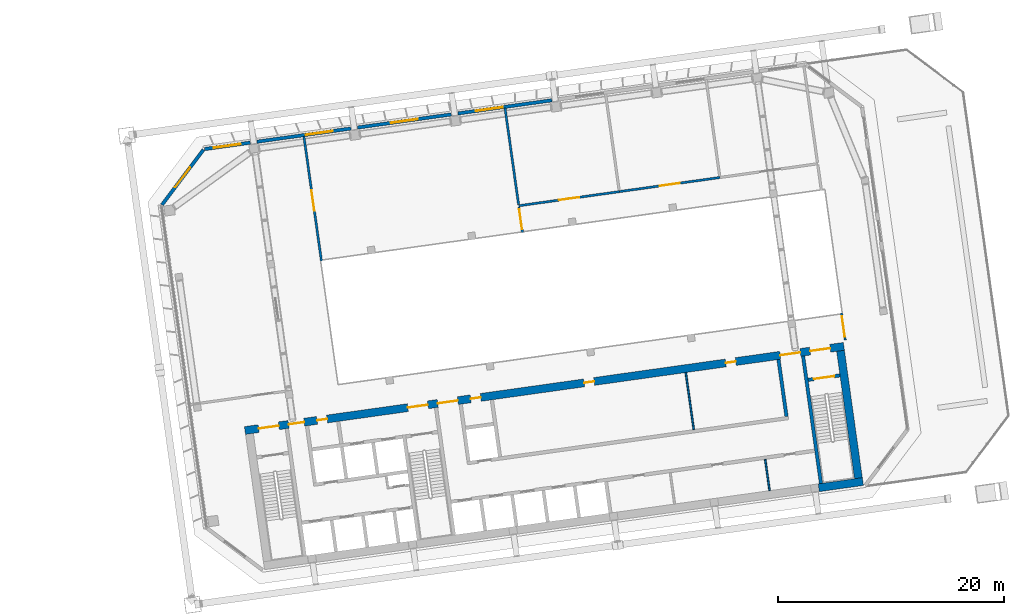
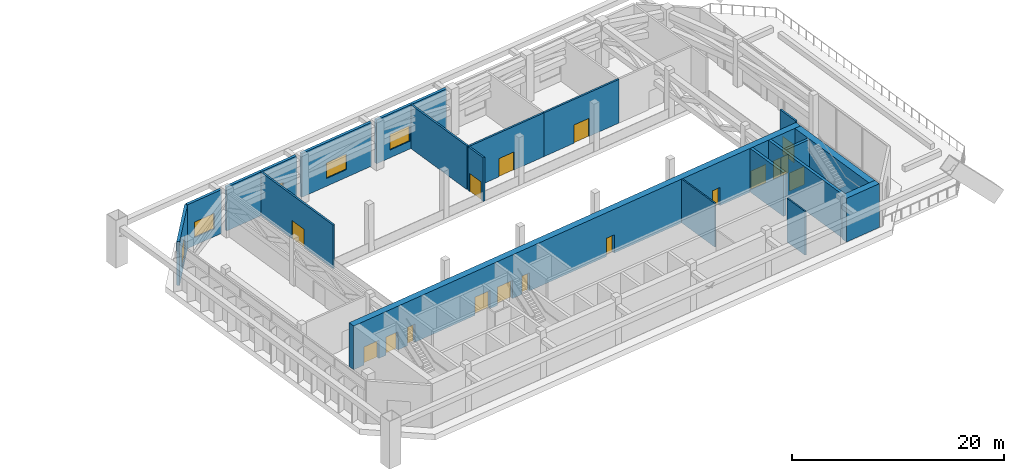
# One storey, part 24 of 41: 19 walls, 16 doors, 5 windows, 21 openings.
"""IFC4 building model written with IfcOpenShell, lengths in metres."""

from ifc_helpers import new_model, si_unit, direction, frame, frame_2d, origin, place, context, subcontext, project, spatial, rectangle, extrude, material, layer, layer_set, type_object, element, fill, save


model = new_model("IFC4")

# Units and contexts
model_context = context("Model", 3, precision=1e-05, world=origin(), true_north=direction((0.0, 1.0)))
body_context = subcontext(model_context, "Body", "Model", "MODEL_VIEW")
ifc_project = project(units=[si_unit("LENGTHUNIT", "METRE"), si_unit("AREAUNIT", "SQUARE_METRE"), si_unit("VOLUMEUNIT", "CUBIC_METRE"), si_unit("PLANEANGLEUNIT", "RADIAN"), si_unit("MASSUNIT", "GRAM", prefix="KILO")], contexts=[model_context])

# Site, building, storey
site_placement = place(None, origin())
site = spatial("IfcSite", under=ifc_project, at=site_placement, CompositionType="ELEMENT")
building_placement = place(site_placement, origin())
building = spatial("IfcBuilding", under=site, at=building_placement, Name="Mirante Cascada Hotel Towers", CompositionType="ELEMENT")
storey_placement = place(building_placement, frame((0.0, 0.0, 151.9)))
storey = spatial("IfcBuildingStorey", under=building, at=storey_placement, Name="L35", CompositionType="ELEMENT", Elevation=151.9)

# Walls
ifc_material_1 = material(Name="Masonry block", Category="masonry")
ifc_layer_1 = layer(ifc_material_1, 0.15)
ifc_layer_set_1 = layer_set([ifc_layer_1], Name="Core room partition 150 block EI 30")
wall_type_1 = type_object("IfcWallType", Name="Core room partition 150 block EI 30", PredefinedType="PARTITIONING", material=ifc_layer_set_1)
wall_1_placement = place(storey_placement, frame((82.0324, -12.9652, 0.0), z_axis=(0.0, 0.0, 1.0), x_axis=(-0.139141, 0.9902726, 0.0)))
element("IfcWall", 1, at=wall_1_placement, inside=storey, type_object=wall_type_1, Name="Core wall partition T2 L35 5", PredefinedType="PARTITIONING", context=body_context, shape_type="SweptSolid", body=[
    extrude(rectangle(XDim=2.8, YDim=0.15, at=frame_2d((1.4, 0.0))), origin(), (0.0, 0.0, 1.0), 5.05),
])
wall_2_placement = place(storey_placement, frame((75.3131, -7.5476, 0.0), z_axis=(0.0, 0.0, 1.0), x_axis=(-0.1391782, 0.9902673, 0.0)))
element("IfcWall", 2, at=wall_2_placement, inside=storey, type_object=wall_type_1, Name="Core wall partition T2 L35 6", PredefinedType="PARTITIONING", context=body_context, shape_type="SweptSolid", body=[
    extrude(rectangle(XDim=5.0999, YDim=0.15, at=frame_2d((2.55, 0.0))), origin(), (0.0, 0.0, 1.0), 5.05),
])

# Wall, opening, window
ifc_material_2 = material(Name="Precast concrete C40/50", Category="concrete")
ifc_layer_2 = layer(ifc_material_2, 0.3)
ifc_layer_set_2 = layer_set([ifc_layer_2], Name="Precast concrete C40/50 cladding wall 300")
wall_type_2 = type_object("IfcWallType", Name="Precast concrete C40/50 cladding wall 300", PredefinedType="STANDARD", material=ifc_layer_set_2)
wall_3_placement = place(storey_placement, frame((31.9558, 17.3101, 0.0), z_axis=(0.0, 0.0, 1.0), x_axis=(0.9902691, 0.1391657, 0.0)))
wall_3 = element("IfcWall", 3, at=wall_3_placement, inside=storey, type_object=wall_type_2, Name="Cladding pier wall T2 L35 front 1", PredefinedType="STANDARD", context=body_context, shape_type="SweptSolid", body=[
    extrude(rectangle(XDim=4.0908, YDim=0.3, at=frame_2d((2.0454, 0.0))), origin(), (0.0, 0.0, 1.0), 5.05),
])
opening_1_placement = place(wall_3_placement, frame((0.8143, 0.0, 0.9)))
opening_1 = element("IfcOpeningElement", 4, at=opening_1_placement, cuts=wall_3, Name="Opening W2-35-01", PredefinedType="OPENING", context=body_context, shape_type="SweptSolid", body=[
    extrude(rectangle(XDim=2.4, YDim=1.8, at=frame_2d((1.2, 0.9))), frame((0.0, 0.15, 0.0), z_axis=(0.0, -1.0, 0.0), x_axis=(1.0, 0.0, 0.0)), (0.0, 0.0, 1.0), 0.3),
])
ifc_material_3 = material(Name="Aluminium frame with clear double glazing", Category="aluminium")
window_type_1 = type_object("IfcWindowType", Name="Punched window 2400x1800", PartitioningType="DOUBLE_PANEL_VERTICAL", PredefinedType="WINDOW", material=ifc_material_3)
window_1_placement = place(opening_1_placement, origin())
window_1 = element("IfcWindow", 5, at=window_1_placement, inside=storey, type_object=window_type_1, Name="Window W2-35-01", OverallHeight=1.8, OverallWidth=2.4, PartitioningType="SINGLE_PANEL", PredefinedType="WINDOW", context=body_context, shape_type="SweptSolid", body=[
    extrude(rectangle(XDim=2.4, YDim=1.8, at=frame_2d((1.2, 0.9))), frame((0.0, 0.03, 0.0), z_axis=(0.0, -1.0, 0.0), x_axis=(1.0, 0.0, 0.0)), (0.0, 0.0, 1.0), 0.06),
])
fill(opening_1, window_1)

wall_4_placement = place(storey_placement, frame((36.6009, 17.963, 0.0), z_axis=(0.0, 0.0, 1.0), x_axis=(0.9902691, 0.139166, 0.0)))
wall_4 = element("IfcWall", 6, at=wall_4_placement, inside=storey, type_object=wall_type_2, Name="Cladding pier wall T2 L35 front 2", PredefinedType="STANDARD", context=body_context, shape_type="SweptSolid", body=[
    extrude(rectangle(XDim=8.4, YDim=0.3, at=frame_2d((4.2, 0.0))), origin(), (0.0, 0.0, 1.0), 5.05),
])
opening_2_placement = place(wall_4_placement, frame((4.385, 0.0, 0.9)))
opening_2 = element("IfcOpeningElement", 7, at=opening_2_placement, cuts=wall_4, Name="Opening W2-35-02", PredefinedType="OPENING", context=body_context, shape_type="SweptSolid", body=[
    extrude(rectangle(XDim=2.4, YDim=1.8, at=frame_2d((1.2, 0.9))), frame((0.0, 0.15, 0.0), z_axis=(0.0, -1.0, 0.0), x_axis=(1.0, 0.0, 0.0)), (0.0, 0.0, 1.0), 0.3),
])
window_2_placement = place(opening_2_placement, origin())
window_2 = element("IfcWindow", 8, at=window_2_placement, inside=storey, type_object=window_type_1, Name="Window W2-35-02", OverallHeight=1.8, OverallWidth=2.4, PartitioningType="SINGLE_PANEL", PredefinedType="WINDOW", context=body_context, shape_type="SweptSolid", body=[
    extrude(rectangle(XDim=2.4, YDim=1.8, at=frame_2d((1.2, 0.9))), frame((0.0, 0.03, 0.0), z_axis=(0.0, -1.0, 0.0), x_axis=(1.0, 0.0, 0.0)), (0.0, 0.0, 1.0), 0.06),
])
fill(opening_2, window_2)

wall_5_placement = place(storey_placement, frame((45.5133, 19.2155, 0.0), z_axis=(0.0, 0.0, 1.0), x_axis=(0.9902675, 0.139177, 0.0)))
wall_5 = element("IfcWall", 9, at=wall_5_placement, inside=storey, type_object=wall_type_2, Name="Cladding pier wall T2 L35 front 3", PredefinedType="STANDARD", context=body_context, shape_type="SweptSolid", body=[
    extrude(rectangle(XDim=8.385, YDim=0.3, at=frame_2d((4.1925, 0.0))), origin(), (0.0, 0.0, 1.0), 5.05),
])
opening_3_placement = place(wall_5_placement, frame((2.9925, 0.0, 0.9)))
opening_3 = element("IfcOpeningElement", 10, at=opening_3_placement, cuts=wall_5, Name="Opening W2-35-03", PredefinedType="OPENING", context=body_context, shape_type="SweptSolid", body=[
    extrude(rectangle(XDim=2.4, YDim=1.8, at=frame_2d((1.2, 0.9))), frame((0.0, 0.15, 0.0), z_axis=(0.0, -1.0, 0.0), x_axis=(1.0, 0.0, 0.0)), (0.0, 0.0, 1.0), 0.3),
])
window_3_placement = place(opening_3_placement, origin())
window_3 = element("IfcWindow", 11, at=window_3_placement, inside=storey, type_object=window_type_1, Name="Window W2-35-03", OverallHeight=1.8, OverallWidth=2.4, PartitioningType="SINGLE_PANEL", PredefinedType="WINDOW", context=body_context, shape_type="SweptSolid", body=[
    extrude(rectangle(XDim=2.4, YDim=1.8, at=frame_2d((1.2, 0.9))), frame((0.0, 0.03, 0.0), z_axis=(0.0, -1.0, 0.0), x_axis=(1.0, 0.0, 0.0)), (0.0, 0.0, 1.0), 0.06),
])
fill(opening_3, window_3)

wall_6_placement = place(storey_placement, frame((54.4109, 20.466, 0.0), z_axis=(0.0, 0.0, 1.0), x_axis=(0.9902691, 0.139166, 0.0)))
wall_6 = element("IfcWall", 12, at=wall_6_placement, inside=storey, type_object=wall_type_2, Name="Cladding pier wall T2 L35 front 4", PredefinedType="STANDARD", context=body_context, shape_type="SweptSolid", body=[
    extrude(rectangle(XDim=8.4, YDim=0.3, at=frame_2d((4.2, 0.0))), origin(), (0.0, 0.0, 1.0), 5.05),
])
opening_4_placement = place(wall_6_placement, frame((1.6, 0.0, 0.9)))
opening_4 = element("IfcOpeningElement", 13, at=opening_4_placement, cuts=wall_6, Name="Opening W2-35-04", PredefinedType="OPENING", context=body_context, shape_type="SweptSolid", body=[
    extrude(rectangle(XDim=2.4, YDim=1.8, at=frame_2d((1.2, 0.9))), frame((0.0, 0.15, 0.0), z_axis=(0.0, -1.0, 0.0), x_axis=(1.0, 0.0, 0.0)), (0.0, 0.0, 1.0), 0.3),
])
window_4_placement = place(opening_4_placement, origin())
window_4 = element("IfcWindow", 14, at=window_4_placement, inside=storey, type_object=window_type_1, Name="Window W2-35-04", OverallHeight=1.8, OverallWidth=2.4, PartitioningType="SINGLE_PANEL", PredefinedType="WINDOW", context=body_context, shape_type="SweptSolid", body=[
    extrude(rectangle(XDim=2.4, YDim=1.8, at=frame_2d((1.2, 0.9))), frame((0.0, 0.03, 0.0), z_axis=(0.0, -1.0, 0.0), x_axis=(1.0, 0.0, 0.0)), (0.0, 0.0, 1.0), 0.06),
])
fill(opening_4, window_4)

wall_7_placement = place(storey_placement, frame((31.8569, 17.2519, 0.0), z_axis=(0.0, 0.0, 1.0), x_axis=(-0.6018115, -0.7986381, 0.0)))
wall_7 = element("IfcWall", 15, at=wall_7_placement, inside=storey, type_object=wall_type_2, Name="Corner cladding wall T2 L35 front inner", PredefinedType="STANDARD", context=body_context, shape_type="SweptSolid", body=[
    extrude(rectangle(XDim=6.1155, YDim=0.3, at=frame_2d((3.0578, 0.0))), origin(), (0.0, 0.0, 1.0), 5.05),
])
opening_5_placement = place(wall_7_placement, frame((1.9577, 0.0, 0.6)))
opening_5 = element("IfcOpeningElement", 16, at=opening_5_placement, cuts=wall_7, Name="Opening W2-35-10", PredefinedType="OPENING", context=body_context, shape_type="SweptSolid", body=[
    extrude(rectangle(XDim=2.2, YDim=2.4, at=frame_2d((1.1, 1.2))), frame((0.0, 0.15, 0.0), z_axis=(0.0, -1.0, 0.0), x_axis=(1.0, 0.0, 0.0)), (0.0, 0.0, 1.0), 0.3),
])
ifc_material_4 = material(Name="Aluminium frame with clear double glazing", Category="aluminium")
window_type_2 = type_object("IfcWindowType", Name="Corner suite window 2200x2400", PartitioningType="DOUBLE_PANEL_VERTICAL", PredefinedType="WINDOW", material=ifc_material_4)
window_5_placement = place(opening_5_placement, origin())
window_5 = element("IfcWindow", 17, at=window_5_placement, inside=storey, type_object=window_type_2, Name="Window W2-35-10", OverallHeight=2.4, OverallWidth=2.2, PartitioningType="SINGLE_PANEL", PredefinedType="WINDOW", context=body_context, shape_type="SweptSolid", body=[
    extrude(rectangle(XDim=2.2, YDim=2.4, at=frame_2d((1.1, 1.2))), frame((0.0, 0.03, 0.0), z_axis=(0.0, -1.0, 0.0), x_axis=(1.0, 0.0, 0.0)), (0.0, 0.0, 1.0), 0.06),
])
fill(opening_5, window_5)

# Wall
ifc_material_5 = material(Name="Concrete C50/60", Category="concrete")
ifc_layer_3 = layer(ifc_material_5, 0.3)
ifc_layer_set_3 = layer_set([ifc_layer_3], Name="RC core wall 300 C50/60")
wall_type_3 = type_object("IfcWallType", Name="RC core wall 300 C50/60", PredefinedType="SHEAR", material=ifc_layer_set_3)
wall_8_placement = place(storey_placement, frame((86.5877, -12.325, 0.0), z_axis=(0.0, 0.0, 1.0), x_axis=(-0.1391749, 0.9902678, 0.0)))
element("IfcWall", 18, at=wall_8_placement, inside=storey, type_object=wall_type_3, Name="Core wall T2:L35:8", PredefinedType="SHEAR", context=body_context, shape_type="SweptSolid", body=[
    extrude(rectangle(XDim=11.4, YDim=0.3, at=frame_2d((5.7, 0.0))), origin(), (0.0, 0.0, 1.0), 5.05),
])

# Wall, opening, door
wall_9_placement = place(storey_placement, frame((85.4489, -3.1441, 0.0), z_axis=(0.0, 0.0, 1.0), x_axis=(0.9902697, 0.1391613, 0.0)))
wall_9 = element("IfcWall", 19, at=wall_9_placement, inside=storey, type_object=wall_type_3, Name="Core wall T2:L35:11", PredefinedType="SHEAR", context=body_context, shape_type="SweptSolid", body=[
    extrude(rectangle(XDim=2.8499, YDim=0.3, at=frame_2d((1.425, 0.0))), origin(), (0.0, 0.0, 1.0), 5.05),
])
opening_6_placement = place(wall_9_placement, frame((0.525, 0.0, 0.0)))
opening_6 = element("IfcOpeningElement", 20, at=opening_6_placement, cuts=wall_9, Name="Opening D2-35-C17", PredefinedType="OPENING", context=body_context, shape_type="SweptSolid", body=[
    extrude(rectangle(XDim=1.8, YDim=2.1, at=frame_2d((0.9, 1.05))), frame((0.0, 0.15, 0.0), z_axis=(0.0, -1.0, 0.0), x_axis=(1.0, 0.0, 0.0)), (0.0, 0.0, 1.0), 0.3),
])
ifc_material_6 = material(Name="Hollow metal fire door leaf")
door_type_1 = type_object("IfcDoorType", Name="Double fire door 1800x2100 FD60", OperationType="DOUBLE_DOOR_SINGLE_SWING", PredefinedType="DOOR", material=ifc_material_6)
door_1_placement = place(opening_6_placement, frame((1.8, 0.0, 0.0), z_axis=(0.0, 0.0, 1.0), x_axis=(-1.0, 0.0, 0.0)))
door_1 = element("IfcDoor", 21, at=door_1_placement, inside=storey, type_object=door_type_1, Name="Stair door T2 L35 17", OperationType="DOUBLE_DOOR_SINGLE_SWING", OverallHeight=2.1, OverallWidth=1.8, PredefinedType="DOOR", context=body_context, shape_type="SweptSolid", body=[
    extrude(rectangle(XDim=0.895, YDim=2.1, at=frame_2d((0.4475, 1.05))), frame((0.0, 0.025, 0.0), z_axis=(0.0, -1.0, 0.0), x_axis=(1.0, 0.0, 0.0)), (0.0, 0.0, 1.0), 0.05),
    extrude(rectangle(XDim=0.895, YDim=2.1, at=frame_2d((1.3525, 1.05))), frame((0.0, 0.025, 0.0), z_axis=(0.0, -1.0, 0.0), x_axis=(1.0, 0.0, 0.0)), (0.0, 0.0, 1.0), 0.05),
])
fill(opening_6, door_1)

# Walls
wall_10_placement = place(storey_placement, frame((83.5323, -6.3925, 0.0), z_axis=(0.0, 0.0, 1.0), x_axis=(-0.1391755, 0.9902677, 0.0)))
element("IfcWall", 22, at=wall_10_placement, inside=storey, type_object=wall_type_3, Name="Core wall T2:L35:34", PredefinedType="SHEAR", context=body_context, shape_type="SweptSolid", body=[
    extrude(rectangle(XDim=5.1, YDim=0.3, at=frame_2d((2.55, 0.0))), origin(), (0.0, 0.0, 1.0), 5.05),
])
ifc_material_7 = material(Name="Concrete C50/60", Category="concrete")
ifc_layer_4 = layer(ifc_material_7, 0.7)
ifc_layer_set_4 = layer_set([ifc_layer_4], Name="RC core wall 700 C50/60")
wall_type_4 = type_object("IfcWallType", Name="RC core wall 700 C50/60", PredefinedType="SHEAR", material=ifc_layer_set_4)
wall_11_placement = place(storey_placement, frame((86.3888, -12.7064, 0.0), z_axis=(0.0, 0.0, 1.0), x_axis=(0.9902694, 0.1391633, 0.0)))
element("IfcWall", 23, at=wall_11_placement, inside=storey, type_object=wall_type_4, Name="Core wall T2:L35:1.7", PredefinedType="SHEAR", context=body_context, shape_type="SweptSolid", body=[
    extrude(rectangle(XDim=3.95, YDim=0.7, at=frame_2d((1.975, 0.0))), origin(), (0.0, 0.0, 1.0), 5.05),
])

# Wall, openings, doors
wall_12_placement = place(storey_placement, frame((35.538, -7.6341, 0.0), z_axis=(0.0, 0.0, 1.0), x_axis=(0.990268, 0.1391734, 0.0)))
wall_12 = element("IfcWall", 24, at=wall_12_placement, inside=storey, type_object=wall_type_4, Name="Core wall T2:L35:2", PredefinedType="SHEAR", context=body_context, shape_type="SweptSolid", body=[
    extrude(rectangle(XDim=53.6, YDim=0.7, at=frame_2d((26.8, 0.0))), origin(), (0.0, 0.0, 1.0), 5.05),
])
opening_7_placement = place(wall_12_placement, frame((1.225, 0.0, 0.0)))
opening_7 = element("IfcOpeningElement", 25, at=opening_7_placement, cuts=wall_12, Name="Opening D2-35-C14", PredefinedType="OPENING", context=body_context, shape_type="SweptSolid", body=[
    extrude(rectangle(XDim=1.8, YDim=2.1, at=frame_2d((0.9, 1.05))), frame((0.0, 0.35, 0.0), z_axis=(0.0, -1.0, 0.0), x_axis=(1.0, 0.0, 0.0)), (0.0, 0.0, 1.0), 0.7),
])
opening_8_placement = place(wall_12_placement, frame((14.575, 0.0, 0.0)))
opening_8 = element("IfcOpeningElement", 26, at=opening_8_placement, cuts=wall_12, Name="Opening D2-35-C16", PredefinedType="OPENING", context=body_context, shape_type="SweptSolid", body=[
    extrude(rectangle(XDim=1.8, YDim=2.1, at=frame_2d((0.9, 1.05))), frame((0.0, 0.35, 0.0), z_axis=(0.0, -1.0, 0.0), x_axis=(1.0, 0.0, 0.0)), (0.0, 0.0, 1.0), 0.7),
])
opening_9_placement = place(wall_12_placement, frame((50.575, 0.0, 0.0)))
opening_9 = element("IfcOpeningElement", 27, at=opening_9_placement, cuts=wall_12, Name="Opening D2-35-C18", PredefinedType="OPENING", context=body_context, shape_type="SweptSolid", body=[
    extrude(rectangle(XDim=1.8, YDim=2.1, at=frame_2d((0.9, 1.05))), frame((0.0, 0.35, 0.0), z_axis=(0.0, -1.0, 0.0), x_axis=(1.0, 0.0, 0.0)), (0.0, 0.0, 1.0), 0.7),
])
opening_10_placement = place(wall_12_placement, frame((3.9, 0.0, 0.0)))
opening_10 = element("IfcOpeningElement", 28, at=opening_10_placement, cuts=wall_12, Name="Opening D2-35-C19", PredefinedType="OPENING", context=body_context, shape_type="SweptSolid", body=[
    extrude(rectangle(XDim=1.4, YDim=2.1, at=frame_2d((0.7, 1.05))), frame((0.0, 0.35, 0.0), z_axis=(0.0, -1.0, 0.0), x_axis=(1.0, 0.0, 0.0)), (0.0, 0.0, 1.0), 0.7),
])
opening_11_placement = place(wall_12_placement, frame((17.25, 0.0, 0.0)))
opening_11 = element("IfcOpeningElement", 29, at=opening_11_placement, cuts=wall_12, Name="Opening D2-35-C20", PredefinedType="OPENING", context=body_context, shape_type="SweptSolid", body=[
    extrude(rectangle(XDim=1.8, YDim=2.1, at=frame_2d((0.9, 1.05))), frame((0.0, 0.35, 0.0), z_axis=(0.0, -1.0, 0.0), x_axis=(1.0, 0.0, 0.0)), (0.0, 0.0, 1.0), 0.7),
])
opening_12_placement = place(wall_12_placement, frame((47.9, 0.0, 0.0)))
opening_12 = element("IfcOpeningElement", 30, at=opening_12_placement, cuts=wall_12, Name="Opening D2-35-C21", PredefinedType="OPENING", context=body_context, shape_type="SweptSolid", body=[
    extrude(rectangle(XDim=1.8, YDim=2.1, at=frame_2d((0.9, 1.05))), frame((0.0, 0.35, 0.0), z_axis=(0.0, -1.0, 0.0), x_axis=(1.0, 0.0, 0.0)), (0.0, 0.0, 1.0), 0.7),
])
opening_13_placement = place(wall_12_placement, frame((6.45, 0.0, 0.0)))
opening_13 = element("IfcOpeningElement", 31, at=opening_13_placement, cuts=wall_12, Name="Opening D2-35-C24", PredefinedType="OPENING", context=body_context, shape_type="SweptSolid", body=[
    extrude(rectangle(XDim=0.9, YDim=2.1, at=frame_2d((0.45, 1.05))), frame((0.0, 0.35, 0.0), z_axis=(0.0, -1.0, 0.0), x_axis=(1.0, 0.0, 0.0)), (0.0, 0.0, 1.0), 0.7),
])
opening_14_placement = place(wall_12_placement, frame((20.2, 0.0, 0.0)))
opening_14 = element("IfcOpeningElement", 32, at=opening_14_placement, cuts=wall_12, Name="Opening D2-35-C28", PredefinedType="OPENING", context=body_context, shape_type="SweptSolid", body=[
    extrude(rectangle(XDim=0.9, YDim=2.1, at=frame_2d((0.45, 1.05))), frame((0.0, 0.35, 0.0), z_axis=(0.0, -1.0, 0.0), x_axis=(1.0, 0.0, 0.0)), (0.0, 0.0, 1.0), 0.7),
])
opening_15_placement = place(wall_12_placement, frame((30.35, 0.0, 0.0)))
opening_15 = element("IfcOpeningElement", 33, at=opening_15_placement, cuts=wall_12, Name="Opening D2-35-C29", PredefinedType="OPENING", context=body_context, shape_type="SweptSolid", body=[
    extrude(rectangle(XDim=0.9, YDim=2.1, at=frame_2d((0.45, 1.05))), frame((0.0, 0.35, 0.0), z_axis=(0.0, -1.0, 0.0), x_axis=(1.0, 0.0, 0.0)), (0.0, 0.0, 1.0), 0.7),
])
opening_16_placement = place(wall_12_placement, frame((43.025, 0.0, 0.0)))
opening_16 = element("IfcOpeningElement", 34, at=opening_16_placement, cuts=wall_12, Name="Opening D2-35-C30", PredefinedType="OPENING", context=body_context, shape_type="SweptSolid", body=[
    extrude(rectangle(XDim=0.9, YDim=2.1, at=frame_2d((0.45, 1.05))), frame((0.0, 0.35, 0.0), z_axis=(0.0, -1.0, 0.0), x_axis=(1.0, 0.0, 0.0)), (0.0, 0.0, 1.0), 0.7),
])
ifc_material_8 = material(Name="Hollow metal fire door leaf")
door_type_2 = type_object("IfcDoorType", Name="Double fire door 1400x2100 FD60", OperationType="DOUBLE_DOOR_SINGLE_SWING", PredefinedType="DOOR", material=ifc_material_8)
door_2_placement = place(opening_10_placement, origin())
door_2 = element("IfcDoor", 35, at=door_2_placement, inside=storey, type_object=door_type_2, Name="Exit door to gallery T2 L35 19", OperationType="DOUBLE_DOOR_SINGLE_SWING", OverallHeight=2.1, OverallWidth=1.4, PredefinedType="DOOR", context=body_context, shape_type="SweptSolid", body=[
    extrude(rectangle(XDim=0.695, YDim=2.1, at=frame_2d((0.3475, 1.05))), frame((0.0, 0.025, 0.0), z_axis=(0.0, -1.0, 0.0), x_axis=(1.0, 0.0, 0.0)), (0.0, 0.0, 1.0), 0.05),
    extrude(rectangle(XDim=0.695, YDim=2.1, at=frame_2d((1.0525, 1.05))), frame((0.0, 0.025, 0.0), z_axis=(0.0, -1.0, 0.0), x_axis=(1.0, 0.0, 0.0)), (0.0, 0.0, 1.0), 0.05),
])
fill(opening_10, door_2)
door_3_placement = place(opening_7_placement, frame((1.8, 0.0, 0.0), z_axis=(0.0, 0.0, 1.0), x_axis=(-1.0, 0.0, 0.0)))
door_3 = element("IfcDoor", 36, at=door_3_placement, inside=storey, type_object=door_type_1, Name="Exit door to gallery T2 L35 14", OperationType="DOUBLE_DOOR_SINGLE_SWING", OverallHeight=2.1, OverallWidth=1.8, PredefinedType="DOOR", context=body_context, shape_type="SweptSolid", body=[
    extrude(rectangle(XDim=0.895, YDim=2.1, at=frame_2d((0.4475, 1.05))), frame((0.0, 0.025, 0.0), z_axis=(0.0, -1.0, 0.0), x_axis=(1.0, 0.0, 0.0)), (0.0, 0.0, 1.0), 0.05),
    extrude(rectangle(XDim=0.895, YDim=2.1, at=frame_2d((1.3525, 1.05))), frame((0.0, 0.025, 0.0), z_axis=(0.0, -1.0, 0.0), x_axis=(1.0, 0.0, 0.0)), (0.0, 0.0, 1.0), 0.05),
])
fill(opening_7, door_3)
door_4_placement = place(opening_8_placement, frame((1.8, 0.0, 0.0), z_axis=(0.0, 0.0, 1.0), x_axis=(-1.0, 0.0, 0.0)))
door_4 = element("IfcDoor", 37, at=door_4_placement, inside=storey, type_object=door_type_1, Name="Exit door to gallery T2 L35 16", OperationType="DOUBLE_DOOR_SINGLE_SWING", OverallHeight=2.1, OverallWidth=1.8, PredefinedType="DOOR", context=body_context, shape_type="SweptSolid", body=[
    extrude(rectangle(XDim=0.895, YDim=2.1, at=frame_2d((0.4475, 1.05))), frame((0.0, 0.025, 0.0), z_axis=(0.0, -1.0, 0.0), x_axis=(1.0, 0.0, 0.0)), (0.0, 0.0, 1.0), 0.05),
    extrude(rectangle(XDim=0.895, YDim=2.1, at=frame_2d((1.3525, 1.05))), frame((0.0, 0.025, 0.0), z_axis=(0.0, -1.0, 0.0), x_axis=(1.0, 0.0, 0.0)), (0.0, 0.0, 1.0), 0.05),
])
fill(opening_8, door_4)
door_5_placement = place(opening_9_placement, frame((1.8, 0.0, 0.0), z_axis=(0.0, 0.0, 1.0), x_axis=(-1.0, 0.0, 0.0)))
door_5 = element("IfcDoor", 38, at=door_5_placement, inside=storey, type_object=door_type_1, Name="Exit door to gallery T2 L35 18", OperationType="DOUBLE_DOOR_SINGLE_SWING", OverallHeight=2.1, OverallWidth=1.8, PredefinedType="DOOR", context=body_context, shape_type="SweptSolid", body=[
    extrude(rectangle(XDim=0.895, YDim=2.1, at=frame_2d((0.4475, 1.05))), frame((0.0, 0.025, 0.0), z_axis=(0.0, -1.0, 0.0), x_axis=(1.0, 0.0, 0.0)), (0.0, 0.0, 1.0), 0.05),
    extrude(rectangle(XDim=0.895, YDim=2.1, at=frame_2d((1.3525, 1.05))), frame((0.0, 0.025, 0.0), z_axis=(0.0, -1.0, 0.0), x_axis=(1.0, 0.0, 0.0)), (0.0, 0.0, 1.0), 0.05),
])
fill(opening_9, door_5)
door_6_placement = place(opening_11_placement, origin())
door_6 = element("IfcDoor", 39, at=door_6_placement, inside=storey, type_object=door_type_1, Name="Exit door to gallery T2 L35 20", OperationType="DOUBLE_DOOR_SINGLE_SWING", OverallHeight=2.1, OverallWidth=1.8, PredefinedType="DOOR", context=body_context, shape_type="SweptSolid", body=[
    extrude(rectangle(XDim=0.895, YDim=2.1, at=frame_2d((0.4475, 1.05))), frame((0.0, 0.025, 0.0), z_axis=(0.0, -1.0, 0.0), x_axis=(1.0, 0.0, 0.0)), (0.0, 0.0, 1.0), 0.05),
    extrude(rectangle(XDim=0.895, YDim=2.1, at=frame_2d((1.3525, 1.05))), frame((0.0, 0.025, 0.0), z_axis=(0.0, -1.0, 0.0), x_axis=(1.0, 0.0, 0.0)), (0.0, 0.0, 1.0), 0.05),
])
fill(opening_11, door_6)
door_7_placement = place(opening_12_placement, origin())
door_7 = element("IfcDoor", 40, at=door_7_placement, inside=storey, type_object=door_type_1, Name="Exit door to gallery T2 L35 21", OperationType="DOUBLE_DOOR_SINGLE_SWING", OverallHeight=2.1, OverallWidth=1.8, PredefinedType="DOOR", context=body_context, shape_type="SweptSolid", body=[
    extrude(rectangle(XDim=0.895, YDim=2.1, at=frame_2d((0.4475, 1.05))), frame((0.0, 0.025, 0.0), z_axis=(0.0, -1.0, 0.0), x_axis=(1.0, 0.0, 0.0)), (0.0, 0.0, 1.0), 0.05),
    extrude(rectangle(XDim=0.895, YDim=2.1, at=frame_2d((1.3525, 1.05))), frame((0.0, 0.025, 0.0), z_axis=(0.0, -1.0, 0.0), x_axis=(1.0, 0.0, 0.0)), (0.0, 0.0, 1.0), 0.05),
])
fill(opening_12, door_7)
ifc_material_9 = material(Name="Hollow metal fire door leaf")
door_type_3 = type_object("IfcDoorType", Name="Fire door 900x2100 FD60", OperationType="NOTDEFINED", PredefinedType="DOOR", material=ifc_material_9)
door_8_placement = place(opening_13_placement, frame((0.9, 0.0, 0.0), z_axis=(0.0, 0.0, 1.0), x_axis=(-1.0, 0.0, 0.0)))
door_8 = element("IfcDoor", 41, at=door_8_placement, inside=storey, type_object=door_type_3, Name="Room door T2 L35 24", OperationType="SINGLE_SWING_LEFT", OverallHeight=2.1, OverallWidth=0.9, PredefinedType="DOOR", context=body_context, shape_type="SweptSolid", body=[
    extrude(rectangle(XDim=0.9, YDim=2.1, at=frame_2d((0.45, 1.05))), frame((0.0, 0.025, 0.0), z_axis=(0.0, -1.0, 0.0), x_axis=(1.0, 0.0, 0.0)), (0.0, 0.0, 1.0), 0.05),
])
fill(opening_13, door_8)
door_9_placement = place(opening_14_placement, frame((0.9, 0.0, 0.0), z_axis=(0.0, 0.0, 1.0), x_axis=(-1.0, 0.0, 0.0)))
door_9 = element("IfcDoor", 42, at=door_9_placement, inside=storey, type_object=door_type_3, Name="Room door T2 L35 28", OperationType="SINGLE_SWING_LEFT", OverallHeight=2.1, OverallWidth=0.9, PredefinedType="DOOR", context=body_context, shape_type="SweptSolid", body=[
    extrude(rectangle(XDim=0.9, YDim=2.1, at=frame_2d((0.45, 1.05))), frame((0.0, 0.025, 0.0), z_axis=(0.0, -1.0, 0.0), x_axis=(1.0, 0.0, 0.0)), (0.0, 0.0, 1.0), 0.05),
])
fill(opening_14, door_9)
door_10_placement = place(opening_15_placement, frame((0.9, 0.0, 0.0), z_axis=(0.0, 0.0, 1.0), x_axis=(-1.0, 0.0, 0.0)))
door_10 = element("IfcDoor", 43, at=door_10_placement, inside=storey, type_object=door_type_3, Name="Room door T2 L35 29", OperationType="SINGLE_SWING_RIGHT", OverallHeight=2.1, OverallWidth=0.9, PredefinedType="DOOR", context=body_context, shape_type="SweptSolid", body=[
    extrude(rectangle(XDim=0.9, YDim=2.1, at=frame_2d((0.45, 1.05))), frame((0.0, 0.025, 0.0), z_axis=(0.0, -1.0, 0.0), x_axis=(1.0, 0.0, 0.0)), (0.0, 0.0, 1.0), 0.05),
])
fill(opening_15, door_10)
door_11_placement = place(opening_16_placement, frame((0.9, 0.0, 0.0), z_axis=(0.0, 0.0, 1.0), x_axis=(-1.0, 0.0, 0.0)))
door_11 = element("IfcDoor", 44, at=door_11_placement, inside=storey, type_object=door_type_3, Name="Room door T2 L35 30", OperationType="SINGLE_SWING_RIGHT", OverallHeight=2.1, OverallWidth=0.9, PredefinedType="DOOR", context=body_context, shape_type="SweptSolid", body=[
    extrude(rectangle(XDim=0.9, YDim=2.1, at=frame_2d((0.45, 1.05))), frame((0.0, 0.025, 0.0), z_axis=(0.0, -1.0, 0.0), x_axis=(1.0, 0.0, 0.0)), (0.0, 0.0, 1.0), 0.05),
])
fill(opening_16, door_11)

# Wall
wall_13_placement = place(storey_placement, frame((89.9051, -11.8588, 0.0), z_axis=(0.0, 0.0, 1.0), x_axis=(-0.1391749, 0.9902678, 0.0)))
element("IfcWall", 45, at=wall_13_placement, inside=storey, type_object=wall_type_4, Name="Core wall T2:L35:4", PredefinedType="SHEAR", context=body_context, shape_type="SweptSolid", body=[
    extrude(rectangle(XDim=11.4, YDim=0.7, at=frame_2d((5.7, 0.0))), origin(), (0.0, 0.0, 1.0), 5.05),
])

# Wall, opening, door
ifc_material_10 = material(Name="Masonry block", Category="masonry")
ifc_layer_5 = layer(ifc_material_10, 0.2)
ifc_layer_set_5 = layer_set([ifc_layer_5], Name="Refuge and plant wall 200 block EI 120")
wall_type_5 = type_object("IfcWallType", Name="Refuge and plant wall 200 block EI 120", PredefinedType="PARTITIONING", material=ifc_layer_set_5)
wall_14_placement = place(storey_placement, frame((59.8017, 12.2866, 0.0), z_axis=(0.0, 0.0, 1.0), x_axis=(0.9902674, 0.1391779, 0.0)))
wall_14 = element("IfcWall", 46, at=wall_14_placement, inside=storey, type_object=wall_type_5, Name="Refuge floor wall T2 L35 S2", PredefinedType="PARTITIONING", context=body_context, shape_type="SweptSolid", body=[
    extrude(rectangle(XDim=9.0, YDim=0.2, at=frame_2d((4.5, 0.0))), origin(), (0.0, 0.0, 1.0), 5.05),
])
opening_17_placement = place(wall_14_placement, frame((3.6, 0.0, 0.0)))
opening_17 = element("IfcOpeningElement", 47, at=opening_17_placement, cuts=wall_14, Name="Opening D2-35-S05", PredefinedType="OPENING", context=body_context, shape_type="SweptSolid", body=[
    extrude(rectangle(XDim=1.8, YDim=2.1, at=frame_2d((0.9, 1.05))), frame((0.0, 0.1, 0.0), z_axis=(0.0, -1.0, 0.0), x_axis=(1.0, 0.0, 0.0)), (0.0, 0.0, 1.0), 0.2),
])
ifc_material_11 = material(Name="Hollow metal fire door leaf")
door_type_4 = type_object("IfcDoorType", Name="Refuge and plant double door 1800x2100 FD60", OperationType="DOUBLE_DOOR_SINGLE_SWING", PredefinedType="DOOR", material=ifc_material_11)
door_12_placement = place(opening_17_placement, origin())
door_12 = element("IfcDoor", 48, at=door_12_placement, inside=storey, type_object=door_type_4, Name="Fire door T2 L35 s5", OperationType="DOUBLE_DOOR_SINGLE_SWING", OverallHeight=2.1, OverallWidth=1.8, PredefinedType="DOOR", context=body_context, shape_type="SweptSolid", body=[
    extrude(rectangle(XDim=0.895, YDim=2.1, at=frame_2d((0.4475, 1.05))), frame((0.0, 0.025, 0.0), z_axis=(0.0, -1.0, 0.0), x_axis=(1.0, 0.0, 0.0)), (0.0, 0.0, 1.0), 0.05),
    extrude(rectangle(XDim=0.895, YDim=2.1, at=frame_2d((1.3525, 1.05))), frame((0.0, 0.025, 0.0), z_axis=(0.0, -1.0, 0.0), x_axis=(1.0, 0.0, 0.0)), (0.0, 0.0, 1.0), 0.05),
])
fill(opening_17, door_12)

wall_15_placement = place(storey_placement, frame((68.7141, 13.5392, 0.0), z_axis=(0.0, 0.0, 1.0), x_axis=(0.9902689, 0.139167, 0.0)))
wall_15 = element("IfcWall", 49, at=wall_15_placement, inside=storey, type_object=wall_type_5, Name="Refuge floor wall T2 L35 S3", PredefinedType="PARTITIONING", context=body_context, shape_type="SweptSolid", body=[
    extrude(rectangle(XDim=9.0, YDim=0.2, at=frame_2d((4.5, 0.0))), origin(), (0.0, 0.0, 1.0), 5.05),
])
opening_18_placement = place(wall_15_placement, frame((3.6, 0.0, 0.0)))
opening_18 = element("IfcOpeningElement", 50, at=opening_18_placement, cuts=wall_15, Name="Opening D2-35-S06", PredefinedType="OPENING", context=body_context, shape_type="SweptSolid", body=[
    extrude(rectangle(XDim=1.8, YDim=2.1, at=frame_2d((0.9, 1.05))), frame((0.0, 0.1, 0.0), z_axis=(0.0, -1.0, 0.0), x_axis=(1.0, 0.0, 0.0)), (0.0, 0.0, 1.0), 0.2),
])
door_13_placement = place(opening_18_placement, origin())
door_13 = element("IfcDoor", 51, at=door_13_placement, inside=storey, type_object=door_type_4, Name="Fire door T2 L35 s6", OperationType="DOUBLE_DOOR_SINGLE_SWING", OverallHeight=2.1, OverallWidth=1.8, PredefinedType="DOOR", context=body_context, shape_type="SweptSolid", body=[
    extrude(rectangle(XDim=0.895, YDim=2.1, at=frame_2d((0.4475, 1.05))), frame((0.0, 0.025, 0.0), z_axis=(0.0, -1.0, 0.0), x_axis=(1.0, 0.0, 0.0)), (0.0, 0.0, 1.0), 0.05),
    extrude(rectangle(XDim=0.895, YDim=2.1, at=frame_2d((1.3525, 1.05))), frame((0.0, 0.025, 0.0), z_axis=(0.0, -1.0, 0.0), x_axis=(1.0, 0.0, 0.0)), (0.0, 0.0, 1.0), 0.05),
])
fill(opening_18, door_13)

wall_16_placement = place(storey_placement, frame((42.3109, 7.4049, 0.0), z_axis=(0.0, 0.0, 1.0), x_axis=(-0.1391747, 0.9902678, 0.0)))
wall_16 = element("IfcWall", 52, at=wall_16_placement, inside=storey, type_object=wall_type_5, Name="Refuge floor wall T2 L35 S6", PredefinedType="PARTITIONING", context=body_context, shape_type="SweptSolid", body=[
    extrude(rectangle(XDim=11.15, YDim=0.2, at=frame_2d((5.575, 0.0))), origin(), (0.0, 0.0, 1.0), 5.05),
])
opening_19_placement = place(wall_16_placement, frame((4.5, 0.0, 0.0)))
opening_19 = element("IfcOpeningElement", 53, at=opening_19_placement, cuts=wall_16, Name="Opening D2-35-S03", PredefinedType="OPENING", context=body_context, shape_type="SweptSolid", body=[
    extrude(rectangle(XDim=1.8, YDim=2.1, at=frame_2d((0.9, 1.05))), frame((0.0, 0.1, 0.0), z_axis=(0.0, -1.0, 0.0), x_axis=(1.0, 0.0, 0.0)), (0.0, 0.0, 1.0), 0.2),
])
door_14_placement = place(opening_19_placement, frame((1.8, 0.0, 0.0), z_axis=(0.0, 0.0, 1.0), x_axis=(-1.0, 0.0, 0.0)))
door_14 = element("IfcDoor", 54, at=door_14_placement, inside=storey, type_object=door_type_4, Name="Fire door T2 L35 s3", OperationType="DOUBLE_DOOR_SINGLE_SWING", OverallHeight=2.1, OverallWidth=1.8, PredefinedType="DOOR", context=body_context, shape_type="SweptSolid", body=[
    extrude(rectangle(XDim=0.895, YDim=2.1, at=frame_2d((0.4475, 1.05))), frame((0.0, 0.025, 0.0), z_axis=(0.0, -1.0, 0.0), x_axis=(1.0, 0.0, 0.0)), (0.0, 0.0, 1.0), 0.05),
    extrude(rectangle(XDim=0.895, YDim=2.1, at=frame_2d((1.3525, 1.05))), frame((0.0, 0.025, 0.0), z_axis=(0.0, -1.0, 0.0), x_axis=(1.0, 0.0, 0.0)), (0.0, 0.0, 1.0), 0.05),
])
fill(opening_19, door_14)

wall_17_placement = place(storey_placement, frame((60.1357, 9.91, 0.0), z_axis=(0.0, 0.0, 1.0), x_axis=(-0.1391749, 0.9902678, 0.0)))
wall_17 = element("IfcWall", 55, at=wall_17_placement, inside=storey, type_object=wall_type_5, Name="Refuge floor wall T2 L35 S7", PredefinedType="PARTITIONING", context=body_context, shape_type="SweptSolid", body=[
    extrude(rectangle(XDim=2.3, YDim=0.2, at=frame_2d((1.15, 0.0))), origin(), (0.0, 0.0, 1.0), 5.05),
])
opening_20_placement = place(wall_17_placement, frame((0.3, 0.0, 0.0)))
opening_20 = element("IfcOpeningElement", 56, at=opening_20_placement, cuts=wall_17, Name="Opening D2-35-S04", PredefinedType="OPENING", context=body_context, shape_type="SweptSolid", body=[
    extrude(rectangle(XDim=1.8, YDim=2.1, at=frame_2d((0.9, 1.05))), frame((0.0, 0.1, 0.0), z_axis=(0.0, -1.0, 0.0), x_axis=(1.0, 0.0, 0.0)), (0.0, 0.0, 1.0), 0.2),
])
door_15_placement = place(opening_20_placement, origin())
door_15 = element("IfcDoor", 57, at=door_15_placement, inside=storey, type_object=door_type_4, Name="Fire door T2 L35 s4", OperationType="DOUBLE_DOOR_SINGLE_SWING", OverallHeight=2.1, OverallWidth=1.8, PredefinedType="DOOR", context=body_context, shape_type="SweptSolid", body=[
    extrude(rectangle(XDim=0.895, YDim=2.1, at=frame_2d((0.4475, 1.05))), frame((0.0, 0.025, 0.0), z_axis=(0.0, -1.0, 0.0), x_axis=(1.0, 0.0, 0.0)), (0.0, 0.0, 1.0), 0.05),
    extrude(rectangle(XDim=0.895, YDim=2.1, at=frame_2d((1.3525, 1.05))), frame((0.0, 0.025, 0.0), z_axis=(0.0, -1.0, 0.0), x_axis=(1.0, 0.0, 0.0)), (0.0, 0.0, 1.0), 0.05),
])
fill(opening_20, door_15)

# Wall
wall_18_placement = place(storey_placement, frame((59.7878, 12.3857, 0.0), z_axis=(0.0, 0.0, 1.0), x_axis=(-0.1391794, 0.9902672, 0.0)))
element("IfcWall", 58, at=wall_18_placement, inside=storey, type_object=wall_type_5, Name="Refuge floor wall T2 L35 S8", PredefinedType="PARTITIONING", context=body_context, shape_type="SweptSolid", body=[
    extrude(rectangle(XDim=8.65, YDim=0.2, at=frame_2d((4.325, 0.0))), origin(), (0.0, 0.0, 1.0), 5.05),
])

# Wall, opening, door
wall_19_placement = place(storey_placement, frame((88.7379, 0.3981, 0.0), z_axis=(0.0, 0.0, 1.0), x_axis=(-0.1391693, 0.9902686, 0.0)))
wall_19 = element("IfcWall", 59, at=wall_19_placement, inside=storey, type_object=wall_type_5, Name="Refuge floor wall T2 L35 S13", PredefinedType="PARTITIONING", context=body_context, shape_type="SweptSolid", body=[
    extrude(rectangle(XDim=2.4, YDim=0.2, at=frame_2d((1.2, 0.0))), origin(), (0.0, 0.0, 1.0), 5.05),
])
opening_21_placement = place(wall_19_placement, frame((0.3, 0.0, 0.0)))
opening_21 = element("IfcOpeningElement", 60, at=opening_21_placement, cuts=wall_19, Name="Opening D2-35-S08", PredefinedType="OPENING", context=body_context, shape_type="SweptSolid", body=[
    extrude(rectangle(XDim=1.8, YDim=2.1, at=frame_2d((0.9, 1.05))), frame((0.0, 0.1, 0.0), z_axis=(0.0, -1.0, 0.0), x_axis=(1.0, 0.0, 0.0)), (0.0, 0.0, 1.0), 0.2),
])
door_16_placement = place(opening_21_placement, frame((1.8, 0.0, 0.0), z_axis=(0.0, 0.0, 1.0), x_axis=(-1.0, 0.0, 0.0)))
door_16 = element("IfcDoor", 61, at=door_16_placement, inside=storey, type_object=door_type_4, Name="Fire door T2 L35 s8", OperationType="DOUBLE_DOOR_SINGLE_SWING", OverallHeight=2.1, OverallWidth=1.8, PredefinedType="DOOR", context=body_context, shape_type="SweptSolid", body=[
    extrude(rectangle(XDim=0.895, YDim=2.1, at=frame_2d((0.4475, 1.05))), frame((0.0, 0.025, 0.0), z_axis=(0.0, -1.0, 0.0), x_axis=(1.0, 0.0, 0.0)), (0.0, 0.0, 1.0), 0.05),
    extrude(rectangle(XDim=0.895, YDim=2.1, at=frame_2d((1.3525, 1.05))), frame((0.0, 0.025, 0.0), z_axis=(0.0, -1.0, 0.0), x_axis=(1.0, 0.0, 0.0)), (0.0, 0.0, 1.0), 0.05),
])
fill(opening_21, door_16)

save(model, "model.ifc")
